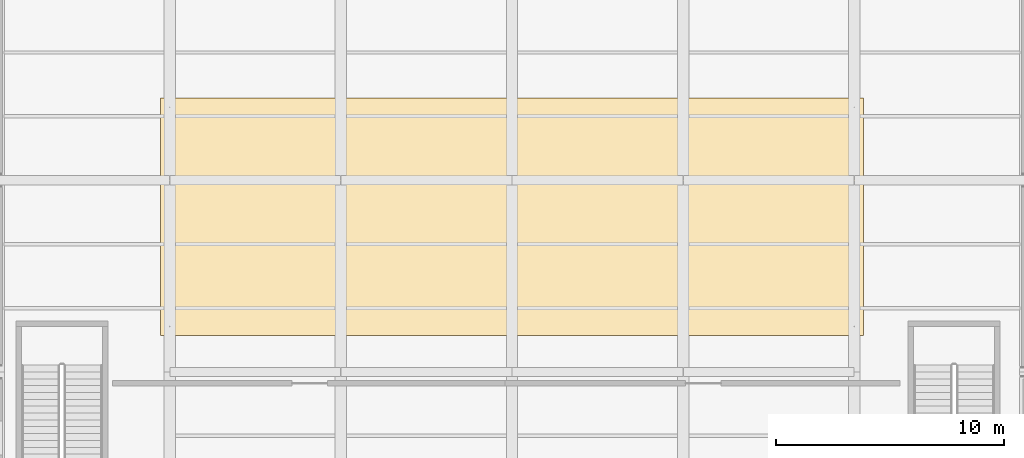
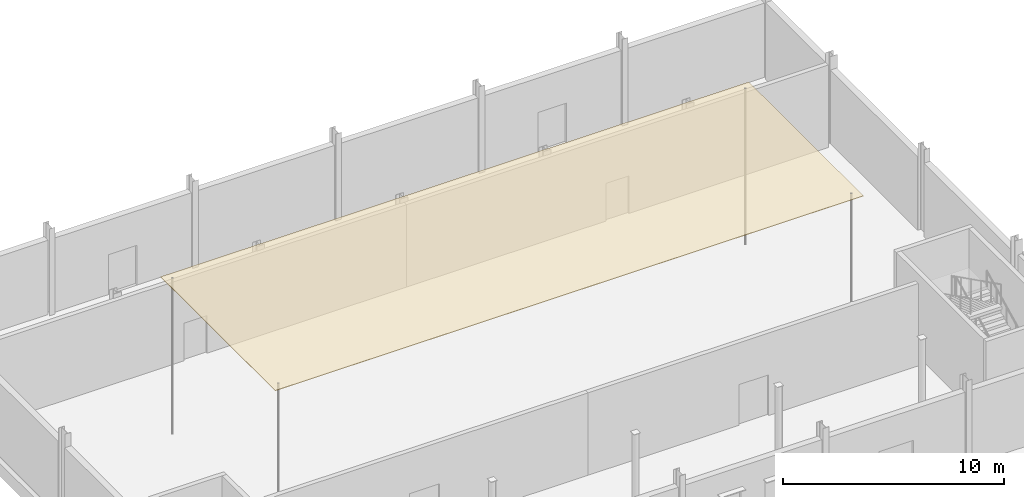
# One storey, part 79 of 82: 1 covering.
"""IFC4 building model written with IfcOpenShell, lengths in metres."""

import ifcopenshell
import ifcopenshell.guid

model = None  # the IFC model being written
_history = None  # IfcOwnerHistory: only IFC2X3 demands one
_inside = {}  # id of a spatial element -> (the spatial element, [elements in it])
_under = {}  # id of a project, library or spatial element -> (it, [spatial elements below it])
_declared = {}  # id of a project -> (the project, [libraries it declares])
_typed = {}  # id of a type object -> (the type object, [elements of that type])
_made_of = {}  # id of a material, layer set ... -> (it, [elements and type objects made of it])


def new_model(schema):
    """Start an empty IFC model of exactly this schema.

    Asked for "IFC4X3", IfcOpenShell would pick the latest addendum, in which some entities
    have other attributes; the version numbers below select the first issue.
    IFC2X3 requires an IfcOwnerHistory on every rooted entity: one is made here for all.
    """
    global model, _history
    if schema == "IFC4X3":
        model = ifcopenshell.file(schema_version=(4, 3, 0, 0))
    else:
        model = ifcopenshell.file(schema=schema)
    _inside.clear()
    _under.clear()
    _declared.clear()
    _typed.clear()
    _made_of.clear()
    _history = None
    if model.schema == "IFC2X3":
        org = make("IfcOrganization", Name="unknown")
        user = make(
            "IfcPersonAndOrganization",
            ThePerson=make("IfcPerson", FamilyName="unknown"),
            TheOrganization=org,
        )
        app = make(
            "IfcApplication",
            ApplicationDeveloper=org,
            Version="unknown",
            ApplicationFullName="unknown",
            ApplicationIdentifier="unknown",
        )
        _history = make(
            "IfcOwnerHistory",
            OwningUser=user,
            OwningApplication=app,
            ChangeAction="ADDED",
            CreationDate=0,
        )
    return model


def make(cls, **values):
    """One entity of the class cls with the attributes given. An attribute that is None is left unset."""
    return model.create_entity(
        cls, **{name: value for name, value in values.items() if value is not None}
    )


def rooted(cls, **values):
    """An entity with a GlobalId (a new one), such as an element, a storey or a relation."""
    return make(cls, GlobalId=ifcopenshell.guid.new(), OwnerHistory=_history, **values)


def si_unit(unit_type, name, prefix=None):
    """IfcSIUnit, for example si_unit("LENGTHUNIT", "METRE", prefix="MILLI")."""
    return make("IfcSIUnit", UnitType=unit_type, Prefix=prefix, Name=name)


def assignment(units):
    """IfcUnitAssignment: the units of a project."""
    return None if units is None else make("IfcUnitAssignment", Units=units)


def point(xyz):
    """IfcCartesianPoint."""
    return None if xyz is None else make("IfcCartesianPoint", Coordinates=xyz)


def direction(xyz):
    """IfcDirection."""
    return None if xyz is None else make("IfcDirection", DirectionRatios=xyz)


def frame(location, z_axis=None, x_axis=None):
    """IfcAxis2Placement3D, a coordinate frame: its origin and axes. An axis left out is left unset."""
    return make(
        "IfcAxis2Placement3D",
        Location=point(location),
        Axis=direction(z_axis),
        RefDirection=direction(x_axis),
    )


def origin():
    """The frame at (0, 0, 0) with its axes left unset."""
    return frame((0.0, 0.0, 0.0))


def place(relative_to, where):
    """IfcLocalPlacement: puts the frame where relative to a parent placement (None: the world)."""
    return make(
        "IfcLocalPlacement", PlacementRelTo=relative_to, RelativePlacement=where
    )


def context(
    kind, dimensions, precision=None, world=None, true_north=None, identifier=None
):
    """IfcGeometricRepresentationContext, for example the 3D "Model" context."""
    return make(
        "IfcGeometricRepresentationContext",
        ContextIdentifier=identifier,
        ContextType=kind,
        CoordinateSpaceDimension=dimensions,
        Precision=precision,
        WorldCoordinateSystem=world,
        TrueNorth=true_north,
    )


def subcontext(parent, identifier, kind, view, scale=None):
    """IfcGeometricRepresentationSubContext, for example "Body" below "Model"."""
    return make(
        "IfcGeometricRepresentationSubContext",
        ContextIdentifier=identifier,
        ContextType=kind,
        ParentContext=parent,
        TargetScale=scale,
        TargetView=view,
    )


def project(units=None, contexts=None):
    """IfcProject with its units and contexts."""
    return rooted(
        "IfcProject",
        Name="project",
        RepresentationContexts=contexts,
        UnitsInContext=assignment(units),
    )


def spatial(cls, under=None, at=None, **own):
    """A site, building, storey or space (cls), placed at a placement, below another one or the project."""
    s = rooted(cls, ObjectPlacement=at, **own)
    if under is not None:
        _under.setdefault(under.id(), (under, []))[1].append(s)
    return s


def polyline(points):
    """IfcPolyline through the points."""
    return make("IfcPolyline", Points=[point(p) for p in points])


def outline(outer, holes=None, kind="AREA"):
    """IfcArbitraryClosedProfileDef: a profile drawn as a closed curve; with holes, ...WithVoids."""
    if holes is None:
        return make("IfcArbitraryClosedProfileDef", ProfileType=kind, OuterCurve=outer)
    return make(
        "IfcArbitraryProfileDefWithVoids",
        ProfileType=kind,
        OuterCurve=outer,
        InnerCurves=holes,
    )


def extrude(swept, where, along, depth):
    """IfcExtrudedAreaSolid: the profile swept, set in the frame where, extruded along a direction by depth."""
    return make(
        "IfcExtrudedAreaSolid",
        SweptArea=swept,
        Position=where,
        ExtrudedDirection=direction(along),
        Depth=depth,
    )


def shape(context_of_items, identifier, shape_type, items):
    """IfcShapeRepresentation: the items that make up one representation, for example the "Body"."""
    return make(
        "IfcShapeRepresentation",
        ContextOfItems=context_of_items,
        RepresentationIdentifier=identifier,
        RepresentationType=shape_type,
        Items=items,
    )


def material(Name=None, Category=None):
    """IfcMaterial."""
    return make("IfcMaterial", Name=Name, Category=Category)


def layer(
    of_material, thickness, ventilated=None, Name=None, Category=None, Priority=None
):
    """IfcMaterialLayer: one layer of a wall or slab, of a material (None: an air gap)."""
    return make(
        "IfcMaterialLayer",
        Material=of_material,
        LayerThickness=thickness,
        IsVentilated=ventilated,
        Name=Name,
        Category=Category,
        Priority=Priority,
    )


def layer_set(layers, Name=None):
    """IfcMaterialLayerSet."""
    return make("IfcMaterialLayerSet", MaterialLayers=layers, LayerSetName=Name)


def made_of(thing, what):
    """Note that an element or type object is made of a material, layer set ...; save() writes the relation."""
    if what is not None:
        _made_of.setdefault(what.id(), (what, []))[1].append(thing)
    return thing


def type_object(cls, material=None, **own):
    """A type object (cls), such as IfcWallType, which elements share."""
    return made_of(rooted(cls, **own), material)


def element(
    cls,
    number,
    at=None,
    inside=None,
    cuts=None,
    type_object=None,
    material=None,
    context=None,
    identifier="Body",
    shape_type=None,
    held_by="IfcProductDefinitionShape",
    body=None,
    shapes=None,
    **own,
):
    """One element of the class cls, such as IfcWall. Its Tag is "e" and its number.

    at: its placement. inside: the storey or other place that contains it. cuts: it is an
    opening in that element (IfcRelVoidsElement). A single representation is given by context,
    identifier, shape_type and body (its items); several are given by shapes. held_by: the class
    of the entity that holds the representations. save() writes the other relations.
    """
    e = rooted(cls, Tag="e%d" % number, ObjectPlacement=at, **own)
    if body is not None:
        shapes = [shape(context, identifier, shape_type, body)]
    if shapes is not None:
        e.Representation = make(held_by, Representations=shapes)
    if inside is not None:
        _inside.setdefault(inside.id(), (inside, []))[1].append(e)
    if cuts is not None:
        rooted(
            "IfcRelVoidsElement", RelatingBuildingElement=cuts, RelatedOpeningElement=e
        )
    if type_object is not None:
        _typed.setdefault(type_object.id(), (type_object, []))[1].append(e)
    return made_of(e, material)


def aggregate(whole, parts):
    """IfcRelAggregates: a whole, such as a stair, and the parts it consists of."""
    return rooted("IfcRelAggregates", RelatingObject=whole, RelatedObjects=parts)


def save(model, path):
    """Write the relations noted so far, then the file.

    IfcRelAggregates (storeys below a building ...), IfcRelContainedInSpatialStructure (elements
    in a storey), IfcRelDefinesByType, IfcRelAssociatesMaterial and IfcRelDeclares: one each for
    every whole, place, type object, material and project.
    """
    for whole, parts in _under.values():
        aggregate(whole, parts)
    for where, things in _inside.values():
        rooted(
            "IfcRelContainedInSpatialStructure",
            RelatedElements=things,
            RelatingStructure=where,
        )
    for kind, things in _typed.values():
        rooted("IfcRelDefinesByType", RelatedObjects=things, RelatingType=kind)
    for what, things in _made_of.values():
        rooted("IfcRelAssociatesMaterial", RelatedObjects=things, RelatingMaterial=what)
    for by, libraries in _declared.values():
        rooted("IfcRelDeclares", RelatingContext=by, RelatedDefinitions=libraries)
    model.write(path)


model = new_model("IFC4")

# Units and contexts
model_context = context("Model", 3, precision=1e-05, world=origin(), true_north=direction((0.0, 1.0)))
body_context = subcontext(model_context, "Body", "Model", "MODEL_VIEW")
ifc_project = project(units=[si_unit("LENGTHUNIT", "METRE"), si_unit("AREAUNIT", "SQUARE_METRE"), si_unit("VOLUMEUNIT", "CUBIC_METRE"), si_unit("PLANEANGLEUNIT", "RADIAN"), si_unit("MASSUNIT", "GRAM", prefix="KILO")], contexts=[model_context])

# Site, building, storey
site_placement = place(None, origin())
site = spatial("IfcSite", under=ifc_project, at=site_placement, CompositionType="ELEMENT")
building_placement = place(site_placement, origin())
building = spatial("IfcBuilding", under=site, at=building_placement, Name="Yukiwa Park Conservatory and Herbarium", CompositionType="ELEMENT")
storey_placement = place(building_placement, origin())
storey = spatial("IfcBuildingStorey", under=building, at=storey_placement, Name="L00", CompositionType="ELEMENT", Elevation=0.0)

# Covering
ifc_material = material(Name="Acoustic Mineral Fibre Ceiling")
ifc_layer = layer(ifc_material, 0.030029296875)
ifc_layer_set = layer_set([ifc_layer], Name="Acoustic Mineral Fibre Ceiling")
covering_type = type_object("IfcCoveringType", Name="COV-CEIL-ACOUSTIC", PredefinedType="CEILING", material=ifc_layer_set)
covering_placement = place(storey_placement, frame((0.0, 0.0, 8.60009765625)))
element("IfcCovering", 1, at=covering_placement, inside=storey, type_object=covering_type, Name="L00 acoustic suspended ceiling CLG-L00-AUD", PredefinedType="CEILING", context=body_context, shape_type="SweptSolid", body=[
    extrude(outline(polyline([(22.10009765625, 88.0), (52.89990234375, 88.0), (52.89990234375, 98.39990234375), (22.10009765625, 98.39990234375), (22.10009765625, 88.0)])), origin(), (0.0, 0.0, 1.0), 0.02978515625),
])

save(model, "model.ifc")
